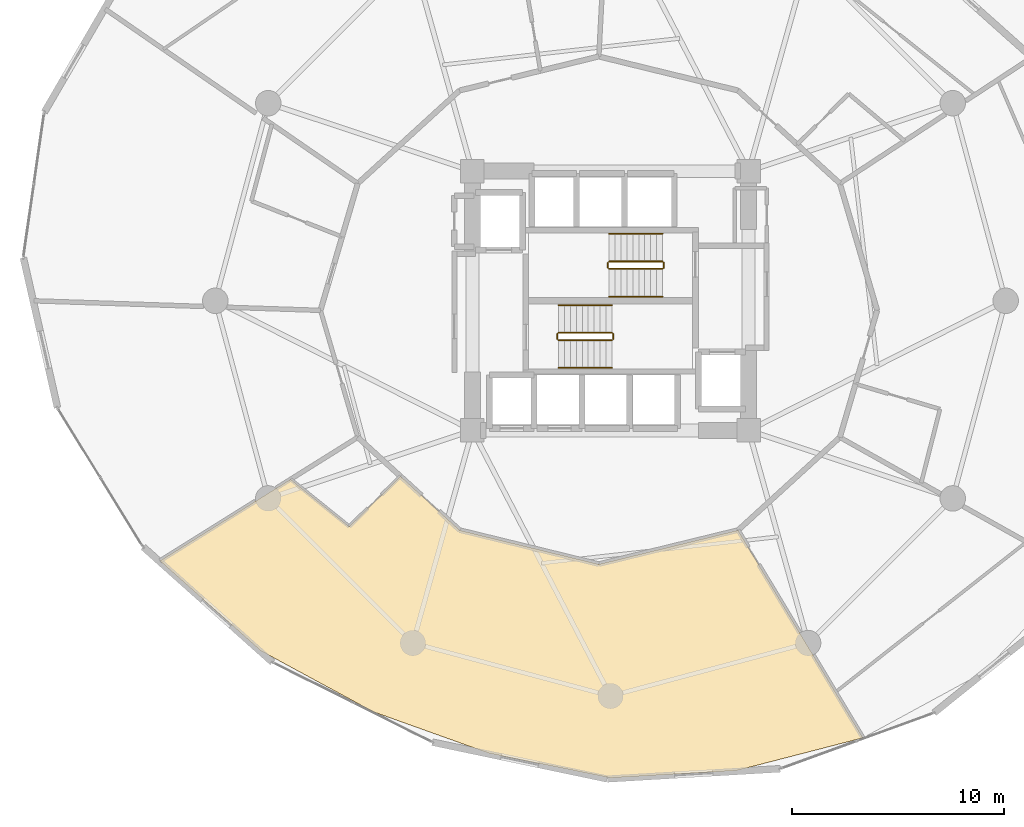
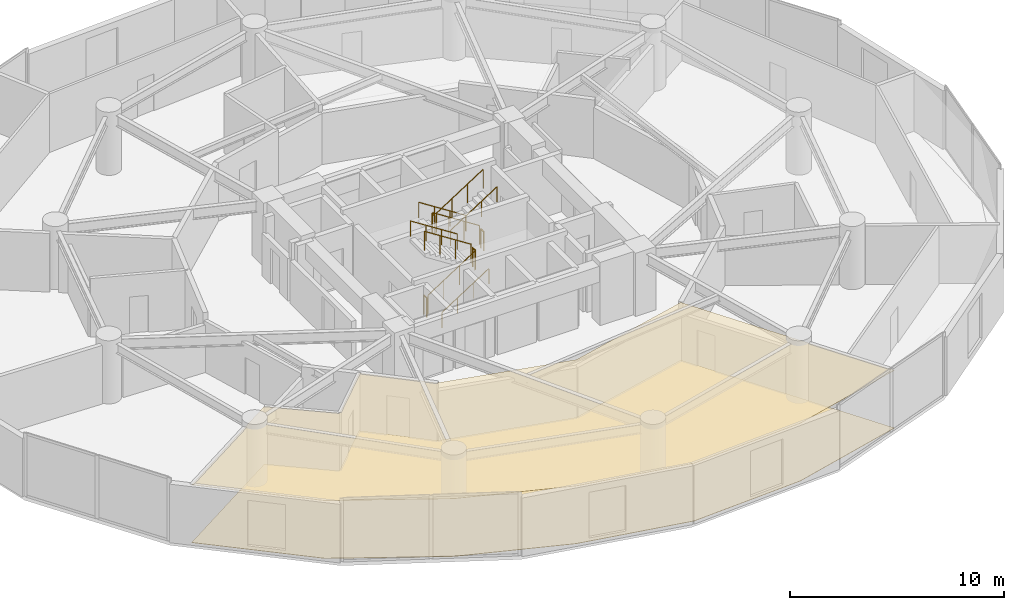
# One storey, part 25 of 26: 12 railings, 2 coverings.
"""IFC4 building model written with IfcOpenShell, lengths in metres."""

from ifc_helpers import new_model, si_unit, direction, frame, origin, origin_2d, place, context, subcontext, project, spatial, polyline, circle, outline, extrude, material, layer, layer_set, type_object, element, save


model = new_model("IFC4")

# Units and contexts
model_context = context("Model", 3, precision=1e-05, world=origin(), true_north=direction((0.0, 1.0)))
body_context = subcontext(model_context, "Body", "Model", "MODEL_VIEW")
ifc_project = project(units=[si_unit("LENGTHUNIT", "METRE"), si_unit("AREAUNIT", "SQUARE_METRE"), si_unit("VOLUMEUNIT", "CUBIC_METRE"), si_unit("PLANEANGLEUNIT", "RADIAN"), si_unit("MASSUNIT", "GRAM", prefix="KILO")], contexts=[model_context])

# Site, building, storey
site_placement = place(None, origin())
site = spatial("IfcSite", under=ifc_project, at=site_placement, CompositionType="ELEMENT")
building_placement = place(site_placement, origin())
building = spatial("IfcBuilding", under=site, at=building_placement, Name="Solvirekh Grand Hotel", CompositionType="ELEMENT")
storey_placement = place(building_placement, frame((0.0, 0.0, 71.60009765625)))
storey = spatial("IfcBuildingStorey", under=building, at=storey_placement, Name="L17", CompositionType="ELEMENT", Elevation=71.60009765625)

# Coverings
ifc_material_1 = material(Name="Acoustic Mineral Ceiling Tile")
ifc_layer_1 = layer(ifc_material_1, 0.02490234375)
ifc_layer_set_1 = layer_set([ifc_layer_1], Name="Acoustic Mineral Ceiling Tile")
covering_type_1 = type_object("IfcCoveringType", Name="Cov_Ceiling_Acoustic", PredefinedType="CEILING", material=ifc_layer_set_1)
covering_1_placement = place(storey_placement, frame((0.0, 0.0, 3.289794921875)))
element("IfcCovering", 1, at=covering_1_placement, inside=storey, type_object=covering_type_1, Name="L17 Presidential Suite 1901 Living Room acoustic ceiling", PredefinedType="CEILING", context=body_context, shape_type="SweptSolid", body=[
    extrude(outline(polyline([(-12.297119140625, -10.62890625), (-15.06005859375, -8.402099609375), (-21.202880859375, -12.240966796875), (-16.466064453125, -16.466064453125), (-11.1669921875, -19.341064453125), (-5.70703125, -21.297119140625), (0.0, -22.4541015625), (5.924072265625, -22.10888671875), (11.876953125, -20.571044921875), (6.0, -10.799072265625), (-0.550048828125, -12.39990234375), (-7.10009765625, -10.799072265625), (-9.881103515625, -8.261962890625), (-12.297119140625, -10.62890625)])), origin(), (0.0, 0.0, 1.0), 0.01806640625),
])
ifc_material_2 = material(Name="Porcelain Stoneware Flooring", Category="masonry")
ifc_layer_2 = layer(ifc_material_2, 0.030029296875)
ifc_layer_set_2 = layer_set([ifc_layer_2], Name="Porcelain Stoneware Flooring")
covering_type_2 = type_object("IfcCoveringType", Name="Cov_Floor_Stone", PredefinedType="FLOORING", material=ifc_layer_set_2)
covering_2_placement = place(storey_placement, origin())
element("IfcCovering", 2, at=covering_2_placement, inside=storey, type_object=covering_type_2, Name="L17 Presidential Suite 1901 Living Room polished granite flooring", PredefinedType="FLOORING", context=body_context, shape_type="SweptSolid", body=[
    extrude(outline(polyline([(-12.297119140625, -10.62890625), (-15.06005859375, -8.402099609375), (-21.202880859375, -12.240966796875), (-16.466064453125, -16.466064453125), (-11.1669921875, -19.341064453125), (-5.70703125, -21.297119140625), (0.0, -22.4541015625), (5.924072265625, -22.10888671875), (11.876953125, -20.571044921875), (6.0, -10.799072265625), (-0.550048828125, -12.39990234375), (-7.10009765625, -10.799072265625), (-9.881103515625, -8.261962890625), (-12.297119140625, -10.62890625)])), origin(), (0.0, 0.0, 1.0), 0.02001953125),
])

# Railings
ifc_material_3 = material(Name="Steel S355", Category="steel")
railing_type_1 = type_object("IfcRailingType", Name="Guard_Stair_1100", PredefinedType="GUARDRAIL", material=ifc_material_3)
railing_1_placement = place(storey_placement, frame((-2.449951171875, -1.85009765625, 0.179931640625)))
element("IfcRailing", 3, at=railing_1_placement, inside=storey, type_object=railing_type_1, Name="L17 ST-1 stair guard 1", PredefinedType="GUARDRAIL", context=body_context, shape_type="SweptSolid", body=[
    extrude(circle(Radius=0.02392578125, at=origin_2d()), frame((0.0, 0.0, 1.076171875), z_axis=(0.841199657755, 0.0, 0.540724639528), x_axis=(0.0, 1.0, 0.0)), (0.0, 0.0, 1.0), 2.995849609375),
    extrude(circle(Radius=0.02099609375, at=origin_2d()), origin(), (0.0, 0.0, 1.0), 1.052001953125),
    extrude(circle(Radius=0.02099609375, at=origin_2d()), frame((0.840087890625, 0.0, 0.5400390625)), (0.0, 0.0, 1.0), 1.052001953125),
    extrude(circle(Radius=0.02099609375, at=origin_2d()), frame((1.679931640625, 0.0, 1.079833984375)), (0.0, 0.0, 1.0), 1.052001953125),
    extrude(circle(Radius=0.02099609375, at=origin_2d()), frame((2.52001953125, 0.0, 1.619873046875)), (0.0, 0.0, 1.0), 1.052001953125),
])
railing_2_placement = place(storey_placement, frame((0.1201171875, -1.800048828125, 1.7998046875)))
element("IfcRailing", 4, at=railing_2_placement, inside=storey, type_object=railing_type_1, Name="L17 ST-1 stair guard 2", PredefinedType="GUARDRAIL", context=body_context, shape_type="SweptSolid", body=[
    extrude(circle(Radius=0.02392578125, at=origin_2d()), frame((0.0, 0.0, 1.076171875), z_axis=(0.0, 1.0, 0.0), x_axis=(-1.0, 0.0, 0.0)), (0.0, 0.0, 1.0), 0.25),
    extrude(circle(Radius=0.02099609375, at=origin_2d()), origin(), (0.0, 0.0, 1.0), 1.052001953125),
    extrude(circle(Radius=0.02099609375, at=origin_2d()), frame((0.0, 0.25, 0.0)), (0.0, 0.0, 1.0), 1.052001953125),
])
railing_3_placement = place(storey_placement, frame((0.070068359375, -1.5, 1.97998046875)))
element("IfcRailing", 5, at=railing_3_placement, inside=storey, type_object=railing_type_1, Name="L17 ST-1 stair guard 3", PredefinedType="GUARDRAIL", context=body_context, shape_type="SweptSolid", body=[
    extrude(circle(Radius=0.02392578125, at=origin_2d()), frame((0.0, 0.0, 1.076171875), z_axis=(-0.841199657755, 0.0, 0.540724639528), x_axis=(0.0, -1.0, 0.0)), (0.0, 0.0, 1.0), 2.995849609375),
    extrude(circle(Radius=0.02099609375, at=origin_2d()), origin(), (0.0, 0.0, 1.0), 1.052001953125),
    extrude(circle(Radius=0.02099609375, at=origin_2d()), frame((-0.840087890625, 0.0, 0.5400390625)), (0.0, 0.0, 1.0), 1.052001953125),
    extrude(circle(Radius=0.02099609375, at=origin_2d()), frame((-1.679931640625, 0.0, 1.079833984375)), (0.0, 0.0, 1.0), 1.052001953125),
    extrude(circle(Radius=0.02099609375, at=origin_2d()), frame((-2.52001953125, 0.0, 1.619873046875)), (0.0, 0.0, 1.0), 1.052001953125),
])
railing_4_placement = place(storey_placement, frame((-2.5, -1.800048828125, 0.0)))
element("IfcRailing", 6, at=railing_4_placement, inside=storey, type_object=railing_type_1, Name="L17 ST-1 stair guard 4", PredefinedType="GUARDRAIL", context=body_context, shape_type="SweptSolid", body=[
    extrude(circle(Radius=0.02392578125, at=origin_2d()), frame((0.0, 0.0, 1.076171875), z_axis=(0.0, 1.0, 0.0), x_axis=(-1.0, 0.0, 0.0)), (0.0, 0.0, 1.0), 0.25),
    extrude(circle(Radius=0.02099609375, at=origin_2d()), origin(), (0.0, 0.0, 1.0), 1.052001953125),
    extrude(circle(Radius=0.02099609375, at=origin_2d()), frame((0.0, 0.25, 0.0)), (0.0, 0.0, 1.0), 1.052001953125),
])
railing_5_placement = place(storey_placement, frame((2.449951171875, 1.85009765625, 0.179931640625)))
element("IfcRailing", 7, at=railing_5_placement, inside=storey, type_object=railing_type_1, Name="L17 ST-2 stair guard 1", PredefinedType="GUARDRAIL", context=body_context, shape_type="SweptSolid", body=[
    extrude(circle(Radius=0.02392578125, at=origin_2d()), frame((0.0, 0.0, 1.076171875), z_axis=(-0.841199657755, 0.0, 0.540724639528), x_axis=(0.0, -1.0, 0.0)), (0.0, 0.0, 1.0), 2.995849609375),
    extrude(circle(Radius=0.02099609375, at=origin_2d()), origin(), (0.0, 0.0, 1.0), 1.052001953125),
    extrude(circle(Radius=0.02099609375, at=origin_2d()), frame((-0.840087890625, 0.0, 0.5400390625)), (0.0, 0.0, 1.0), 1.052001953125),
    extrude(circle(Radius=0.02099609375, at=origin_2d()), frame((-1.679931640625, 0.0, 1.079833984375)), (0.0, 0.0, 1.0), 1.052001953125),
    extrude(circle(Radius=0.02099609375, at=origin_2d()), frame((-2.52001953125, 0.0, 1.619873046875)), (0.0, 0.0, 1.0), 1.052001953125),
])
railing_6_placement = place(storey_placement, frame((-0.1201171875, 1.800048828125, 1.7998046875)))
element("IfcRailing", 8, at=railing_6_placement, inside=storey, type_object=railing_type_1, Name="L17 ST-2 stair guard 2", PredefinedType="GUARDRAIL", context=body_context, shape_type="SweptSolid", body=[
    extrude(circle(Radius=0.02392578125, at=origin_2d()), frame((0.0, 0.0, 1.076171875), z_axis=(0.0, -1.0, 0.0), x_axis=(1.0, 0.0, 0.0)), (0.0, 0.0, 1.0), 0.25),
    extrude(circle(Radius=0.02099609375, at=origin_2d()), origin(), (0.0, 0.0, 1.0), 1.052001953125),
    extrude(circle(Radius=0.02099609375, at=origin_2d()), frame((0.0, -0.25, 0.0)), (0.0, 0.0, 1.0), 1.052001953125),
])
railing_7_placement = place(storey_placement, frame((-0.070068359375, 1.5, 1.97998046875)))
element("IfcRailing", 9, at=railing_7_placement, inside=storey, type_object=railing_type_1, Name="L17 ST-2 stair guard 3", PredefinedType="GUARDRAIL", context=body_context, shape_type="SweptSolid", body=[
    extrude(circle(Radius=0.02392578125, at=origin_2d()), frame((0.0, 0.0, 1.076171875), z_axis=(0.841199657755, 0.0, 0.540724639528), x_axis=(0.0, 1.0, 0.0)), (0.0, 0.0, 1.0), 2.995849609375),
    extrude(circle(Radius=0.02099609375, at=origin_2d()), origin(), (0.0, 0.0, 1.0), 1.052001953125),
    extrude(circle(Radius=0.02099609375, at=origin_2d()), frame((0.840087890625, 0.0, 0.5400390625)), (0.0, 0.0, 1.0), 1.052001953125),
    extrude(circle(Radius=0.02099609375, at=origin_2d()), frame((1.679931640625, 0.0, 1.079833984375)), (0.0, 0.0, 1.0), 1.052001953125),
    extrude(circle(Radius=0.02099609375, at=origin_2d()), frame((2.52001953125, 0.0, 1.619873046875)), (0.0, 0.0, 1.0), 1.052001953125),
])
railing_8_placement = place(storey_placement, frame((2.5, 1.800048828125, 0.0)))
element("IfcRailing", 10, at=railing_8_placement, inside=storey, type_object=railing_type_1, Name="L17 ST-2 stair guard 4", PredefinedType="GUARDRAIL", context=body_context, shape_type="SweptSolid", body=[
    extrude(circle(Radius=0.02392578125, at=origin_2d()), frame((0.0, 0.0, 1.076171875), z_axis=(0.0, -1.0, 0.0), x_axis=(1.0, 0.0, 0.0)), (0.0, 0.0, 1.0), 0.25),
    extrude(circle(Radius=0.02099609375, at=origin_2d()), origin(), (0.0, 0.0, 1.0), 1.052001953125),
    extrude(circle(Radius=0.02099609375, at=origin_2d()), frame((0.0, -0.25, 0.0)), (0.0, 0.0, 1.0), 1.052001953125),
])
ifc_material_4 = material(Name="Anodized Bronze Aluminium 6063-T6", Category="aluminium")
railing_type_2 = type_object("IfcRailingType", Name="Handrail_Wall_900", PredefinedType="HANDRAIL", material=ifc_material_4)
railing_9_placement = place(storey_placement, frame((-2.449951171875, -3.14990234375, 0.179931640625)))
element("IfcRailing", 11, at=railing_9_placement, inside=storey, type_object=railing_type_2, Name="L17 ST-1 stair handrail 1", PredefinedType="HANDRAIL", context=body_context, shape_type="SweptSolid", body=[
    extrude(circle(Radius=0.02392578125, at=origin_2d()), frame((0.0, 0.0, 0.8759765625), z_axis=(0.841199657755, 0.0, 0.540724639528), x_axis=(0.0, 1.0, 0.0)), (0.0, 0.0, 1.0), 2.995849609375),
    extrude(circle(Radius=0.02099609375, at=origin_2d()), origin(), (0.0, 0.0, 1.0), 0.851806640625),
    extrude(circle(Radius=0.02099609375, at=origin_2d()), frame((0.840087890625, 0.0, 0.5400390625)), (0.0, 0.0, 1.0), 0.851806640625),
    extrude(circle(Radius=0.02099609375, at=origin_2d()), frame((1.679931640625, 0.0, 1.079833984375)), (0.0, 0.0, 1.0), 0.851806640625),
    extrude(circle(Radius=0.02099609375, at=origin_2d()), frame((2.52001953125, 0.0, 1.619873046875)), (0.0, 0.0, 1.0), 0.851806640625),
])
for number, where, name in (
    (12, (0.070068359375, -0.199951171875, 1.97998046875), "L17 ST-1 stair handrail 2"),
    (13, (2.449951171875, 3.14990234375, 0.179931640625), "L17 ST-2 stair handrail 1"),
):
    element("IfcRailing", number, at=place(storey_placement, frame(where)), inside=storey, type_object=railing_type_2, Name=name, PredefinedType="HANDRAIL", context=body_context, shape_type="SweptSolid", body=[
        extrude(circle(Radius=0.02392578125, at=origin_2d()), frame((0.0, 0.0, 0.8759765625), z_axis=(-0.841199657755, 0.0, 0.540724639528), x_axis=(0.0, -1.0, 0.0)), (0.0, 0.0, 1.0), 2.995849609375),
        extrude(circle(Radius=0.02099609375, at=origin_2d()), origin(), (0.0, 0.0, 1.0), 0.851806640625),
        extrude(circle(Radius=0.02099609375, at=origin_2d()), frame((-0.840087890625, 0.0, 0.5400390625)), (0.0, 0.0, 1.0), 0.851806640625),
        extrude(circle(Radius=0.02099609375, at=origin_2d()), frame((-1.679931640625, 0.0, 1.079833984375)), (0.0, 0.0, 1.0), 0.851806640625),
        extrude(circle(Radius=0.02099609375, at=origin_2d()), frame((-2.52001953125, 0.0, 1.619873046875)), (0.0, 0.0, 1.0), 0.851806640625),
    ])
railing_10_placement = place(storey_placement, frame((-0.070068359375, 0.199951171875, 1.97998046875)))
element("IfcRailing", 14, at=railing_10_placement, inside=storey, type_object=railing_type_2, Name="L17 ST-2 stair handrail 2", PredefinedType="HANDRAIL", context=body_context, shape_type="SweptSolid", body=[
    extrude(circle(Radius=0.02392578125, at=origin_2d()), frame((0.0, 0.0, 0.8759765625), z_axis=(0.841199657755, 0.0, 0.540724639528), x_axis=(0.0, 1.0, 0.0)), (0.0, 0.0, 1.0), 2.995849609375),
    extrude(circle(Radius=0.02099609375, at=origin_2d()), origin(), (0.0, 0.0, 1.0), 0.851806640625),
    extrude(circle(Radius=0.02099609375, at=origin_2d()), frame((0.840087890625, 0.0, 0.5400390625)), (0.0, 0.0, 1.0), 0.851806640625),
    extrude(circle(Radius=0.02099609375, at=origin_2d()), frame((1.679931640625, 0.0, 1.079833984375)), (0.0, 0.0, 1.0), 0.851806640625),
    extrude(circle(Radius=0.02099609375, at=origin_2d()), frame((2.52001953125, 0.0, 1.619873046875)), (0.0, 0.0, 1.0), 0.851806640625),
])

save(model, "model.ifc")
